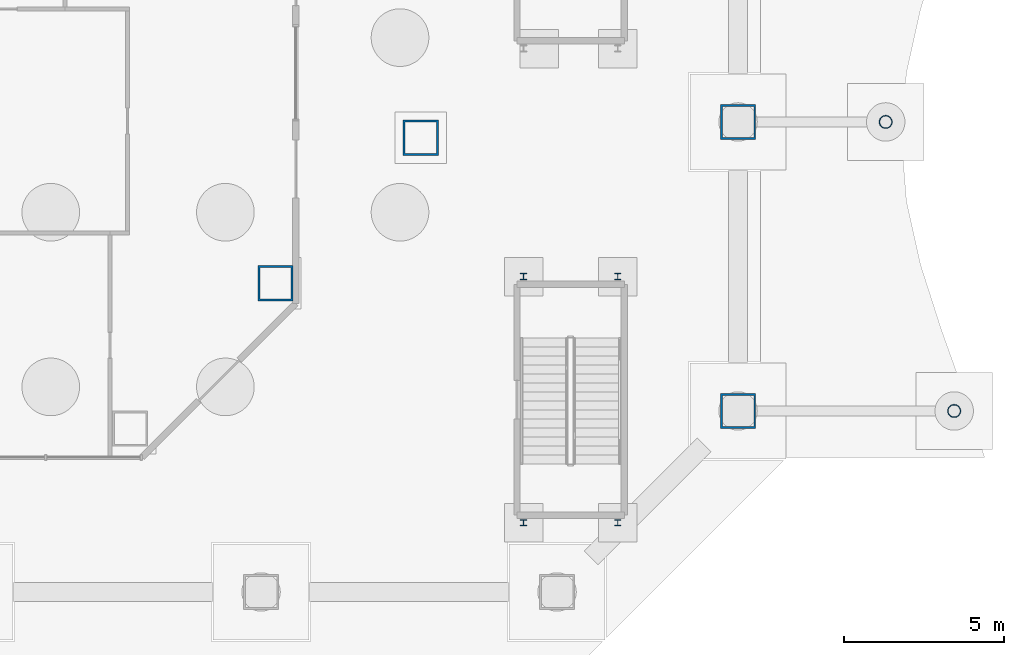
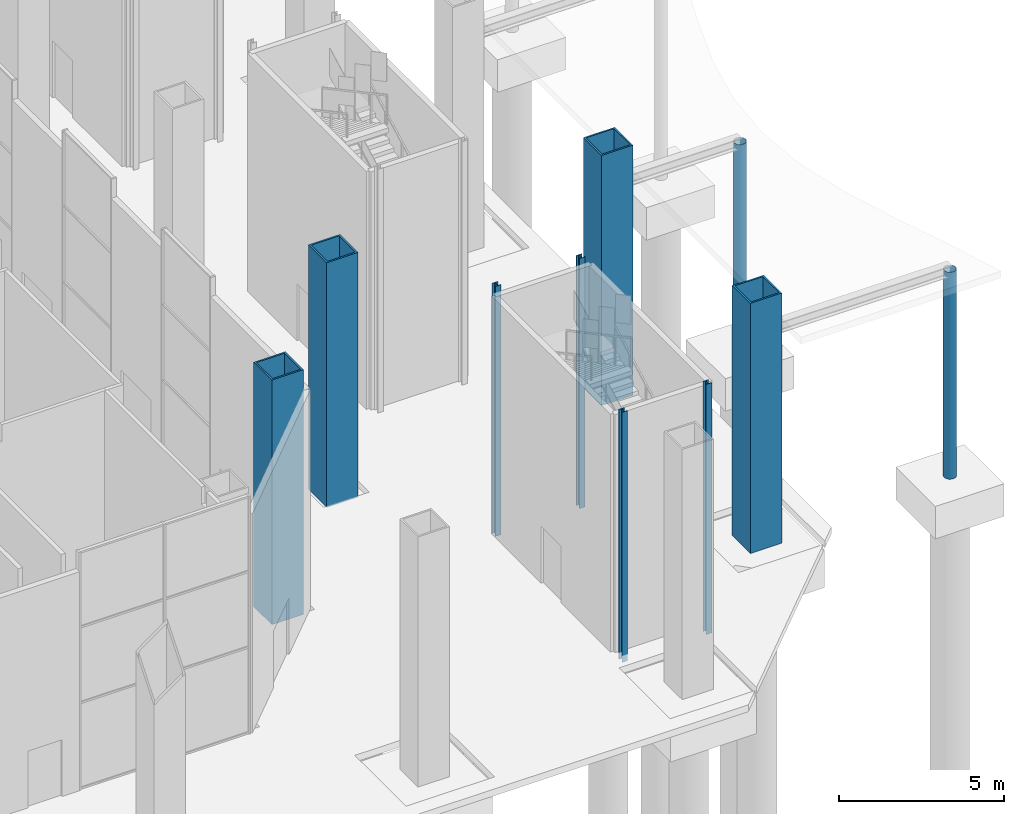
# One storey, part 7 of 38: 10 columns.
"""IFC4 building model written with IfcOpenShell, lengths in metres."""

from ifc_helpers import new_model, si_unit, direction, frame, origin, origin_2d, place, context, subcontext, project, spatial, hollow_rectangle, hollow_circle, i_section, extrude, material, material_profile, profile_set, type_object, element, save


model = new_model("IFC4")

# Units and contexts
model_context = context("Model", 3, precision=1e-05, world=origin(), true_north=direction((0.0, 1.0)))
body_context = subcontext(model_context, "Body", "Model", "MODEL_VIEW")
ifc_project = project(units=[si_unit("LENGTHUNIT", "METRE"), si_unit("AREAUNIT", "SQUARE_METRE"), si_unit("VOLUMEUNIT", "CUBIC_METRE"), si_unit("PLANEANGLEUNIT", "RADIAN"), si_unit("MASSUNIT", "GRAM", prefix="KILO")], contexts=[model_context])

# Site, building, storey
site_placement = place(None, origin())
site = spatial("IfcSite", under=ifc_project, at=site_placement, CompositionType="ELEMENT")
building_placement = place(site_placement, origin())
building = spatial("IfcBuilding", under=site, at=building_placement, Name="Cairn Pilgrim Tower", CompositionType="ELEMENT")
storey_placement = place(building_placement, origin())
storey = spatial("IfcBuildingStorey", under=building, at=storey_placement, Name="L00", CompositionType="ELEMENT", Elevation=0.0)

# Columns
ifc_material_1 = material(Name="Structural steel S460M", Category="steel")
ifc_material_profile_1 = material_profile(ifc_material_1, hollow_rectangle(XDim=1.10009765625, YDim=1.10009765625, WallThickness=0.06005859375, at=origin_2d()), Name="BOX 1100x1100x60")
ifc_profile_set_1 = profile_set([ifc_material_profile_1], Name="Structural steel S460M")
column_type_1 = type_object("IfcColumnType", Name="BOX 1100x1100x60", PredefinedType="COLUMN", material=ifc_profile_set_1)
for number, where, z_axis, x_axis, name in (
    (1, (23.363525390625, -18.563720703125, -0.25), (0.0, 0.0, 1.0), (1.0, 0.0, 0.0), "PC1-SE2"),
    (2, (27.89990234375, -14.027099609375, -0.25), (0.0, 0.0, 1.0), (1.0, 0.0, 0.0), "PC1-E1"),
):
    element("IfcColumn", number, at=place(storey_placement, frame(where, z_axis=z_axis, x_axis=x_axis)), inside=storey, type_object=column_type_1, Name=name, PredefinedType="COLUMN", context=body_context, shape_type="SweptSolid", body=[
        extrude(hollow_rectangle(XDim=1.10009765625, YDim=1.10009765625, WallThickness=0.06005859375, at=origin_2d()), origin(), (0.0, 0.0, 1.0), 9.050048828125),
    ])
ifc_material_profile_2 = material_profile(ifc_material_1, hollow_circle(Radius=0.203125, WallThickness=0.01611328125, at=origin_2d()), Name="MARQUISE TIP COLUMN CHS 406x16")
ifc_profile_set_2 = profile_set([ifc_material_profile_2], Name="Structural steel S460M")
column_type_2 = type_object("IfcColumnType", Name="MARQUISE TIP COLUMN CHS 406x16", PredefinedType="COLUMN", material=ifc_profile_set_2)
for number, where, z_axis, x_axis, name in (
    (3, (44.5458984375, -22.551513671875, -0.25), (0.0, 0.0, 1.0), (1.0, 0.0, 0.0), "MARQUISE TIP COLUMN E1"),
    (4, (42.408935546875, -13.531005859375, -0.25), (0.0, 0.0, 1.0), (1.0, 0.0, 0.0), "MARQUISE TIP COLUMN E2"),
):
    element("IfcColumn", number, at=place(storey_placement, frame(where, z_axis=z_axis, x_axis=x_axis)), inside=storey, type_object=column_type_2, Name=name, PredefinedType="COLUMN", context=body_context, shape_type="SweptSolid", body=[
        extrude(hollow_circle(Radius=0.203125, WallThickness=0.01611328125, at=origin_2d()), origin(), (0.0, 0.0, 1.0), 7.64990234375),
    ])
ifc_material_profile_3 = material_profile(ifc_material_1, hollow_rectangle(XDim=1.10009765625, YDim=1.10009765625, WallThickness=0.06005859375, at=origin_2d()), Name="BOX 1100x1100x60")
ifc_profile_set_3 = profile_set([ifc_material_profile_3], Name="Structural steel S460M")
column_type_3 = type_object("IfcColumnType", Name="PILOTIS CFT 1100", PredefinedType="COLUMN", material=ifc_profile_set_3)
for number, where, z_axis, x_axis, name in (
    (5, (37.800048828125, -22.551513671875, -0.25), (0.0, 0.0, 1.0), (1.0, 0.0, 0.0), "PILOTIS PL-E1"),
    (6, (37.800048828125, -13.531005859375, -0.25), (0.0, 0.0, 1.0), (1.0, 0.0, 0.0), "PILOTIS PL-E2"),
):
    element("IfcColumn", number, at=place(storey_placement, frame(where, z_axis=z_axis, x_axis=x_axis)), inside=storey, type_object=column_type_3, Name=name, PredefinedType="COLUMN", context=body_context, shape_type="SweptSolid", body=[
        extrude(hollow_rectangle(XDim=1.10009765625, YDim=1.10009765625, WallThickness=0.06005859375, at=origin_2d()), origin(), (0.0, 0.0, 1.0), 9.25),
    ])
ifc_material_2 = material(Name="Structural steel S355J2", Category="steel")
ifc_material_profile_4 = material_profile(ifc_material_2, i_section(OverallWidth=0.199951171875, OverallDepth=0.199951171875, WebThickness=0.009033203125, FlangeThickness=0.014892578125, FilletRadius=0.01806640625, at=origin_2d()), Name="HE 200 B")
ifc_profile_set_4 = profile_set([ifc_material_profile_4], Name="Structural steel S355J2")
column_type_4 = type_object("IfcColumnType", Name="STAIR POST HE 200 B", PredefinedType="COLUMN", material=ifc_profile_set_4)
for number, where, z_axis, x_axis, name in (
    (7, (31.10498046875, -18.360107421875, -0.25), (0.0, 0.0, 1.0), (1.0, 0.0, 0.0), "STAIR POST LP-ES1-NA"),
    (8, (34.044921875, -18.360107421875, -0.25), (0.0, 0.0, 1.0), (1.0, 0.0, 0.0), "STAIR POST LP-ES1-NB"),
    (9, (31.10498046875, -26.0400390625, -0.25), (0.0, 0.0, 1.0), (1.0, 0.0, 0.0), "STAIR POST LP-ES1-SA"),
    (10, (34.044921875, -26.0400390625, -0.25), (0.0, 0.0, 1.0), (1.0, 0.0, 0.0), "STAIR POST LP-ES1-SB"),
):
    element("IfcColumn", number, at=place(storey_placement, frame(where, z_axis=z_axis, x_axis=x_axis)), inside=storey, type_object=column_type_4, Name=name, PredefinedType="COLUMN", context=body_context, shape_type="SweptSolid", body=[
        extrude(i_section(OverallWidth=0.199951171875, OverallDepth=0.199951171875, WebThickness=0.009033203125, FlangeThickness=0.014892578125, FilletRadius=0.01806640625, at=origin_2d()), origin(), (0.0, 0.0, 1.0), 9.25),
    ])

save(model, "model.ifc")
